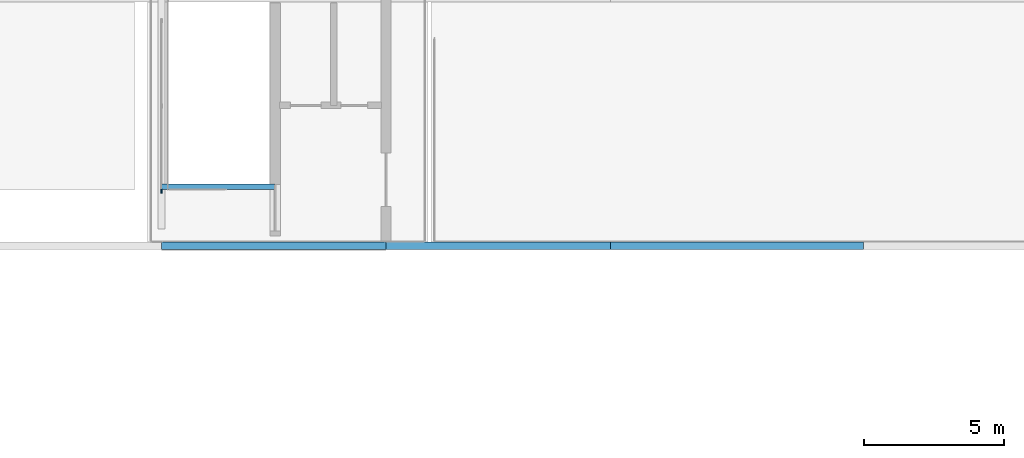
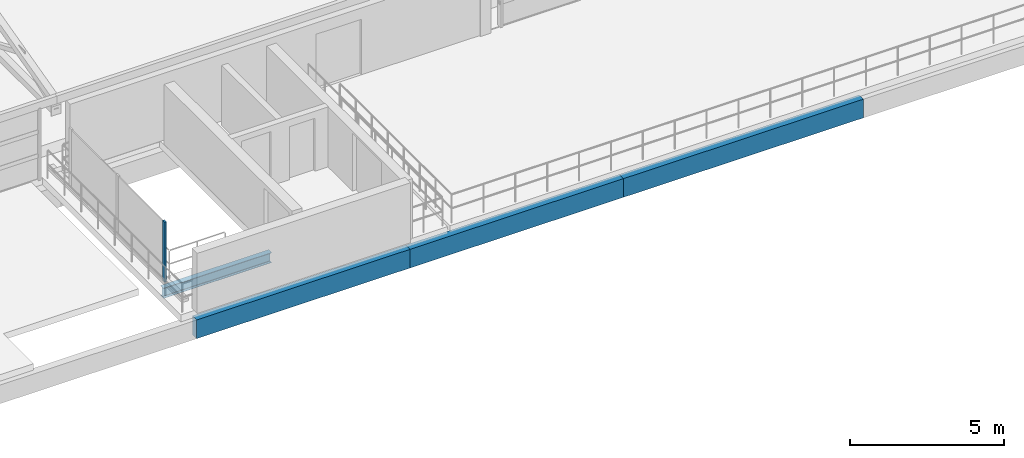
# One storey, part 10 of 50: 4 beams, 1 member, 1 element without a shape of its own.
"""IFC4 building model written with IfcOpenShell, lengths in metres."""

from ifc_helpers import new_model, si_unit, derived_unit, direction, frame, origin, origin_2d, place, context, subcontext, project, spatial, rectangle, i_section, extrude, material, layer, layer_set, material_profile, profile_set, type_object, element, aggregate, save


model = new_model("IFC4")

# Units and contexts
model_context = context("Model", 3, precision=1e-05, world=origin(), true_north=direction((0.0, 1.0)))
body_context = subcontext(model_context, "Body", "Model", "MODEL_VIEW")
ifc_project = project(units=[si_unit("LENGTHUNIT", "METRE"), si_unit("AREAUNIT", "SQUARE_METRE"), si_unit("VOLUMEUNIT", "CUBIC_METRE"), si_unit("PLANEANGLEUNIT", "RADIAN"), si_unit("MASSUNIT", "GRAM", prefix="KILO"), si_unit("THERMODYNAMICTEMPERATUREUNIT", "KELVIN"), derived_unit("THERMALTRANSMITTANCEUNIT", [(si_unit("POWERUNIT", "WATT"), 1), (si_unit("AREAUNIT", "SQUARE_METRE"), -1), (si_unit("THERMODYNAMICTEMPERATUREUNIT", "KELVIN"), -1)])], contexts=[model_context])

# Site, building, storey
site_placement = place(None, origin())
site = spatial("IfcSite", under=ifc_project, at=site_placement, CompositionType="ELEMENT")
building_placement = place(site_placement, origin())
building = spatial("IfcBuilding", under=site, at=building_placement, Name="Haiyu Intermodal Mobility Hub", CompositionType="ELEMENT")
storey_placement = place(building_placement, frame((0.0, 0.0, 25.10009765625)))
storey = spatial("IfcBuildingStorey", under=building, at=storey_placement, Name="L06", CompositionType="ELEMENT", Elevation=25.10009765625)

# Beams
ifc_material_1 = material(Name="Steel Q355C", Category="steel")
ifc_material_profile_1 = material_profile(ifc_material_1, i_section(OverallWidth=0.199951171875, OverallDepth=0.39990234375, WebThickness=0.008056640625, FlangeThickness=0.012939453125, FilletRadius=0.01611328125, at=origin_2d()), Name="HN400x200x8x13")
ifc_profile_set_1 = profile_set([ifc_material_profile_1], Name="Steel Q355C")
beam_type_1 = type_object("IfcBeamType", Name="BM-SB08", PredefinedType="JOIST", material=ifc_profile_set_1)
beam_1_placement = place(storey_placement, frame((62.0, 106.10009765625, -0.525146484375), z_axis=(1.0, 0.0, 0.0), x_axis=(0.0, 1.0, 0.0)))
element("IfcBeam", 1, at=beam_1_placement, inside=storey, type_object=beam_type_1, Name="Stair Arrival Trimmer Beam C5-L05", PredefinedType="JOIST", context=body_context, shape_type="SweptSolid", body=[
    extrude(i_section(OverallWidth=0.199951171875, OverallDepth=0.39990234375, WebThickness=0.008056640625, FlangeThickness=0.012939453125, FilletRadius=0.01611328125, at=origin_2d()), origin(), (0.0, 0.0, 1.0), 4.050048828125),
])
ifc_material_2 = material(Name="Precast concrete C40", Category="concrete")
ifc_material_profile_2 = material_profile(ifc_material_2, rectangle(XDim=0.280029296875, YDim=0.739990234375, at=origin_2d()), Name="B280x740")
ifc_profile_set_2 = profile_set([ifc_material_profile_2], Name="Precast concrete C40")
beam_type_2 = type_object("IfcBeamType", Name="BM-SP05", PredefinedType="SPANDREL", material=ifc_profile_set_2)
for number, where, z_axis, x_axis, name in (
    (2, (62.0, 104.0, -0.650146484375), (1.0, 0.0, 0.0), (0.0, 1.0, 0.0), "BM-V4G-L06-004"),
    (3, (70.0, 104.0, -0.650146484375), (1.0, 0.0, 0.0), (0.0, 1.0, 0.0), "BM-V4G-L06-005"),
):
    element("IfcBeam", number, at=place(storey_placement, frame(where, z_axis=z_axis, x_axis=x_axis)), inside=storey, type_object=beam_type_2, Name=name, PredefinedType="SPANDREL", context=body_context, shape_type="SweptSolid", body=[
        extrude(rectangle(XDim=0.280029296875, YDim=0.739990234375, at=origin_2d()), origin(), (0.0, 0.0, 1.0), 8.0),
    ])
beam_2_placement = place(storey_placement, frame((78.0, 104.0, -0.650146484375), z_axis=(1.0, 0.0, 0.0), x_axis=(0.0, 1.0, 0.0)))
element("IfcBeam", 4, at=beam_2_placement, inside=storey, type_object=beam_type_2, Name="BM-V4G-L06-006", PredefinedType="SPANDREL", context=body_context, shape_type="SweptSolid", body=[
    extrude(rectangle(XDim=0.280029296875, YDim=0.739990234375, at=origin_2d()), origin(), (0.0, 0.0, 1.0), 9.0),
])

# Curtain wall, member
ifc_material_3 = material(Name="Low-e laminated insulating glass", Category="glass")
ifc_layer = layer(ifc_material_3, 0.199951171875)
ifc_layer_set = layer_set([ifc_layer], Name="Low-e laminated insulating glass")
curtain_wall_type = type_object("IfcCurtainWallType", Name="CW-CW03", PredefinedType="NOTDEFINED", material=ifc_layer_set)
curtain_wall_placement = place(storey_placement, origin())
curtain_wall = element("IfcCurtainWall", 5, at=curtain_wall_placement, inside=storey, type_object=curtain_wall_type, Name="Curtain Wall CW-CPAR-C5-W", PredefinedType="NOTDEFINED")
ifc_material_4 = material(Name="Anodised aluminium 6063-T6", Category="aluminium")
ifc_material_profile_3 = material_profile(ifc_material_4, rectangle(XDim=0.06005859375, YDim=0.14501953125, at=origin_2d()), Name="ALU60x145")
ifc_profile_set_3 = profile_set([ifc_material_profile_3], Name="Anodised aluminium 6063-T6")
member_type = type_object("IfcMemberType", Name="CWM-ML03", PredefinedType="MULLION", material=ifc_profile_set_3)
member_placement = place(storey_placement, frame((62.0, 105.93994140625, 0.0), z_axis=(0.0, 0.0, 1.0), x_axis=(1.0, 0.0, 0.0)))
member = element("IfcMember", 6, at=member_placement, type_object=member_type, Name="CW-CPAR-C5-W-ML03", PredefinedType="MULLION", context=body_context, shape_type="SweptSolid", body=[
    extrude(rectangle(XDim=0.06005859375, YDim=0.14501953125, at=origin_2d()), origin(), (0.0, 0.0, 1.0), 2.380859375),
])
aggregate(curtain_wall, [member])

save(model, "model.ifc")
